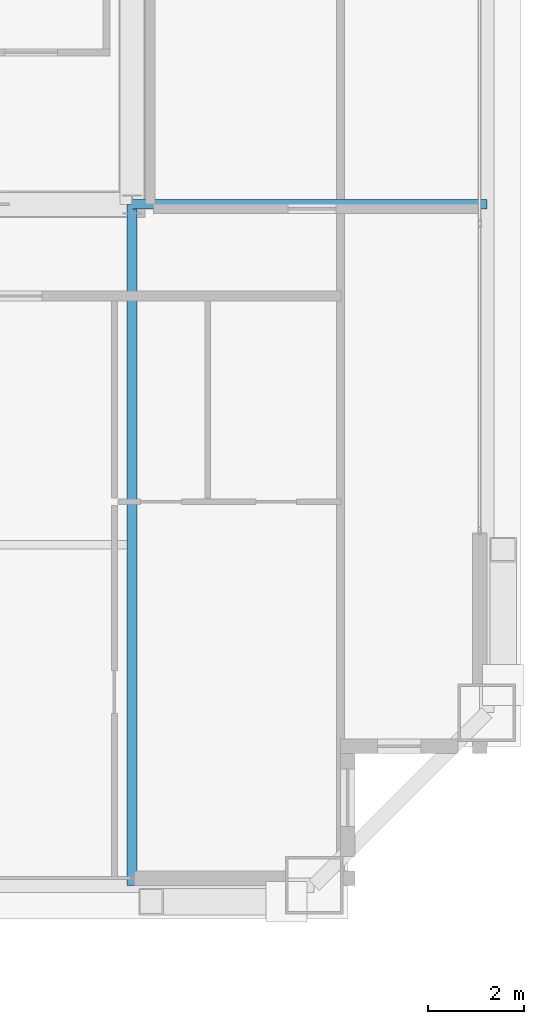
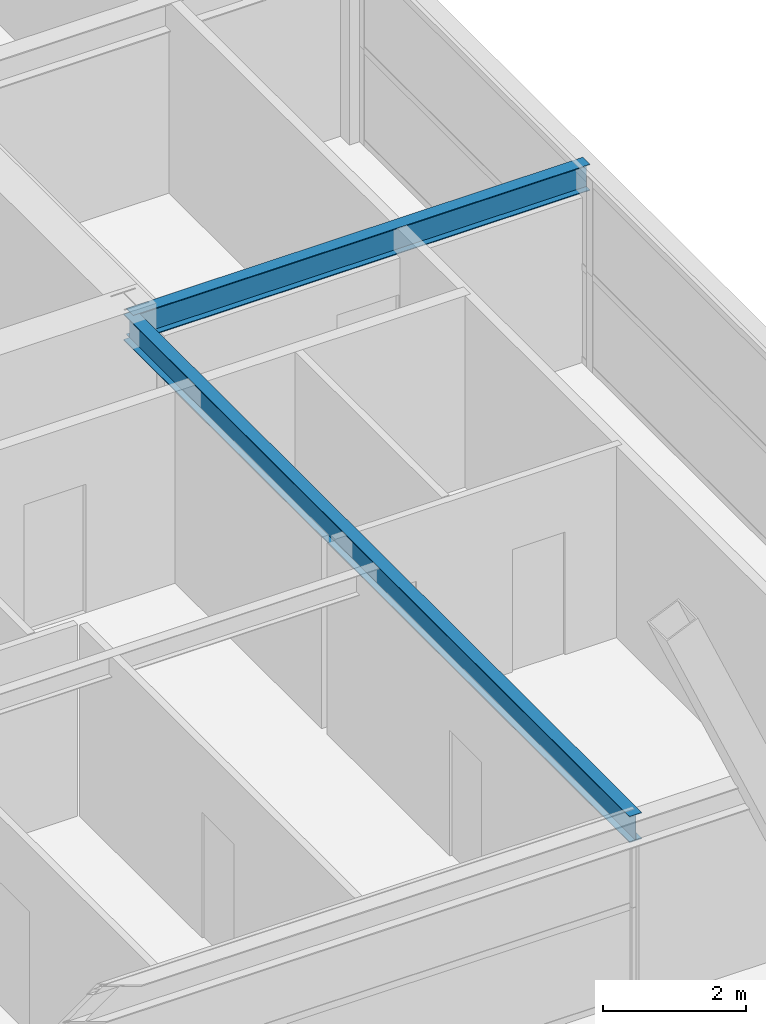
# One storey, part 15 of 35: 2 beams.
"""IFC4 building model written with IfcOpenShell, lengths in metres."""

from ifc_helpers import new_model, si_unit, direction, frame, origin, origin_2d, place, context, subcontext, project, spatial, i_section, extrude, source, transform, mapped, material, material_profile, profile_set, type_object, element, save


model = new_model("IFC4")

# Units and contexts
model_context = context("Model", 3, precision=1e-05, world=origin(), true_north=direction((0.0, 1.0)))
body_context = subcontext(model_context, "Body", "Model", "MODEL_VIEW")
ifc_project = project(units=[si_unit("LENGTHUNIT", "METRE"), si_unit("AREAUNIT", "SQUARE_METRE"), si_unit("VOLUMEUNIT", "CUBIC_METRE"), si_unit("PLANEANGLEUNIT", "RADIAN"), si_unit("MASSUNIT", "GRAM", prefix="KILO"), si_unit("THERMODYNAMICTEMPERATUREUNIT", "KELVIN"), si_unit("POWERUNIT", "WATT")], contexts=[model_context])

# Site, building, storey
site_placement = place(None, origin())
site = spatial("IfcSite", under=ifc_project, at=site_placement, CompositionType="ELEMENT")
building_placement = place(site_placement, origin())
building = spatial("IfcBuilding", under=site, at=building_placement, Name="Yuzanri Waterfront Tower", CompositionType="ELEMENT")
storey_placement = place(building_placement, frame((0.0, 0.0, 227.60009765625)))
storey = spatial("IfcBuildingStorey", under=building, at=storey_placement, Name="L60", CompositionType="ELEMENT", Elevation=227.60009765625)

# Beams
ifc_material = material(Name="Steel Q355B", Category="steel")
ifc_material_profile = material_profile(ifc_material, i_section(OverallWidth=0.199951171875, OverallDepth=0.449951171875, WebThickness=0.009033203125, FlangeThickness=0.013916015625, at=origin_2d()), Name="HN 450x200x9x14")
ifc_profile_set = profile_set([ifc_material_profile], Name="Steel Q355B")
beam_type = type_object("IfcBeamType", Name="Secondary Floor Beam Q355B HN 450x200", PredefinedType="BEAM", material=ifc_profile_set)
shared_shape_1 = source(origin(), body_context, "Body", "SweptSolid", [
    extrude(i_section(OverallWidth=0.199951171875, OverallDepth=0.449951171875, WebThickness=0.009033203125, FlangeThickness=0.013916015625, at=origin_2d()), origin(), (0.0, 0.0, 1.0), 14.199951171875),
])
beam_1_placement = place(storey_placement, frame((50.199951171875, 19.39990234375, 3.054931640625), z_axis=(0.0, -1.0, 0.0), x_axis=(1.0, 0.0, 0.0)))
element("IfcBeam", 1, at=beam_1_placement, inside=storey, type_object=beam_type, Name="L60 South-East Core Line Beam", PredefinedType="BEAM", context=body_context, shape_type="MappedRepresentation", body=[
    mapped(shared_shape_1, transform((0.0, 0.0, 0.0), scale=1.0)),
])
shared_shape_2 = source(origin(), body_context, "Body", "SweptSolid", [
    extrude(i_section(OverallWidth=0.199951171875, OverallDepth=0.449951171875, WebThickness=0.009033203125, FlangeThickness=0.013916015625, at=origin_2d()), origin(), (0.0, 0.0, 1.0), 7.400146484375),
])
beam_2_placement = place(storey_placement, frame((50.199951171875, 19.39990234375, 3.054931640625), z_axis=(1.0, 0.0, 0.0), x_axis=(0.0, 1.0, 0.0)))
element("IfcBeam", 2, at=beam_2_placement, inside=storey, type_object=beam_type, Name="L60 East-South Core Line Beam", PredefinedType="BEAM", context=body_context, shape_type="MappedRepresentation", body=[
    mapped(shared_shape_2, transform((0.0, 0.0, 0.0), scale=1.0)),
])

save(model, "model.ifc")
